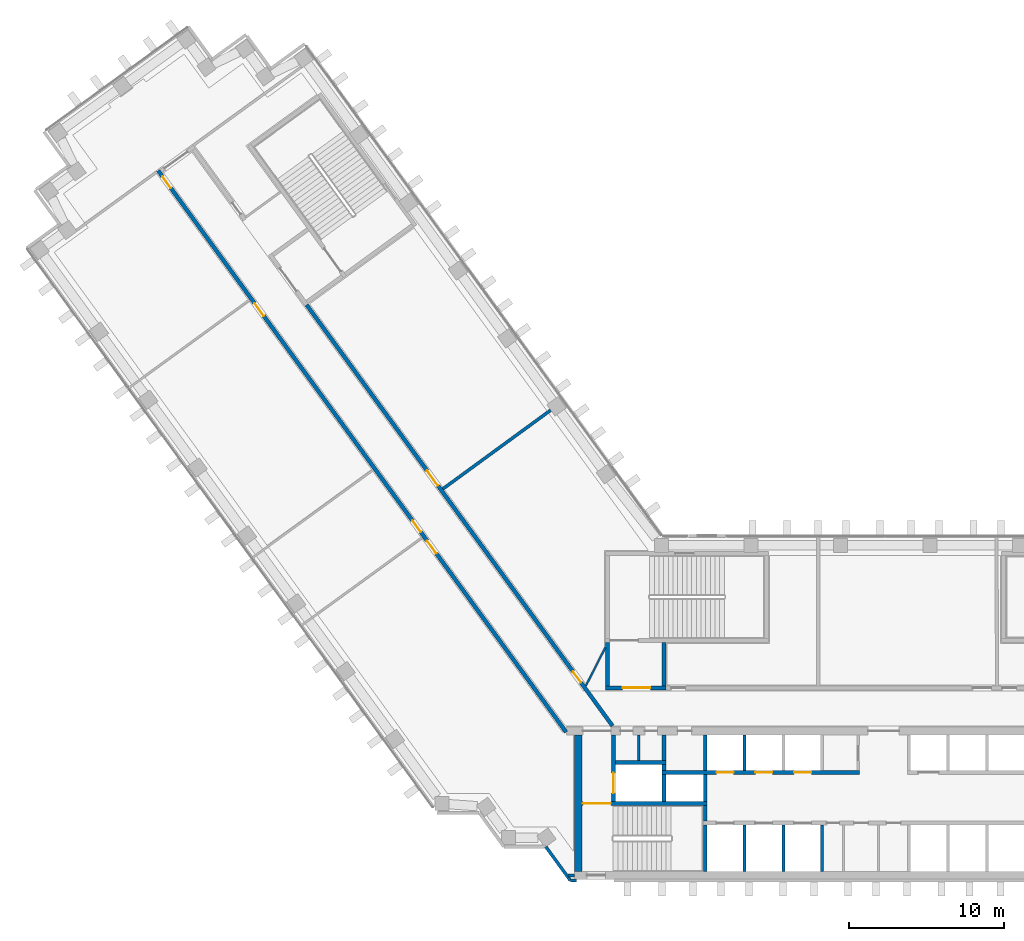
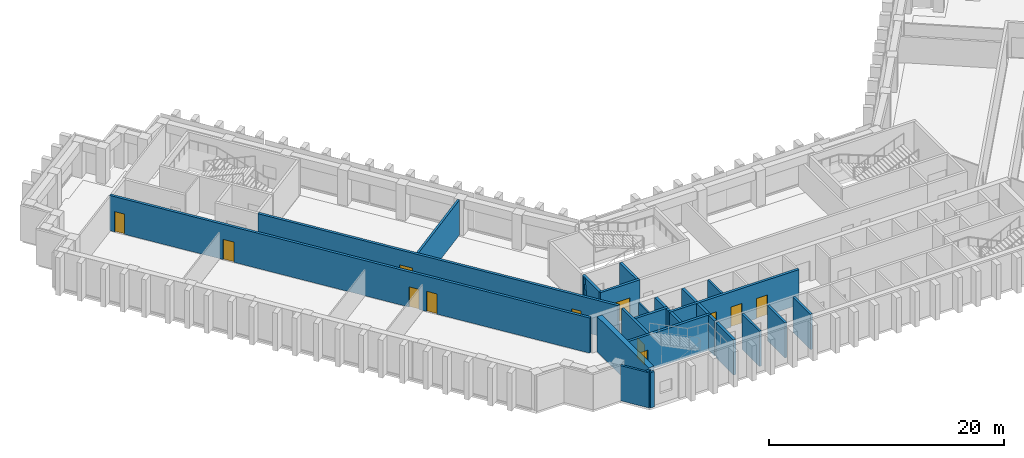
# One storey, part 6 of 14: 27 walls, 12 doors, 12 openings.
"""IFC4 building model written with IfcOpenShell, lengths in metres."""

from ifc_helpers import new_model, si_unit, direction, frame, frame_2d, origin, place, context, subcontext, project, spatial, rectangle, extrude, material, layer, layer_set, type_object, element, fill, save


model = new_model("IFC4")

# Units and contexts
model_context = context("Model", 3, precision=1e-05, world=origin(), true_north=direction((0.0, 1.0)))
body_context = subcontext(model_context, "Body", "Model", "MODEL_VIEW")
ifc_project = project(units=[si_unit("LENGTHUNIT", "METRE"), si_unit("AREAUNIT", "SQUARE_METRE"), si_unit("VOLUMEUNIT", "CUBIC_METRE"), si_unit("PLANEANGLEUNIT", "RADIAN"), si_unit("MASSUNIT", "GRAM", prefix="KILO")], contexts=[model_context])

# Site, building, storey
site_placement = place(None, origin())
site = spatial("IfcSite", under=ifc_project, at=site_placement, CompositionType="ELEMENT")
building_placement = place(site_placement, origin())
building = spatial("IfcBuilding", under=site, at=building_placement, Name="Quipu Civic Tower", CompositionType="ELEMENT")
storey_placement = place(building_placement, frame((0.0, 0.0, 105.0)))
storey = spatial("IfcBuildingStorey", under=building, at=storey_placement, Name="L24", CompositionType="ELEMENT", Elevation=105.0)

# Walls
ifc_material_1 = material(Name="Fired clay blockwork", Category="masonry")
ifc_layer_1 = layer(ifc_material_1, 0.199951171875)
ifc_layer_set_1 = layer_set([ifc_layer_1], Name="Fired clay blockwork")
wall_type_1 = type_object("IfcWallType", Name="Blockwork wall 200", PredefinedType="SOLIDWALL", material=ifc_layer_set_1)
wall_1_placement = place(storey_placement, frame((-28.468994140625, 14.1240234375, 0.0), z_axis=(0.0, 0.0, 1.0), x_axis=(0.807597163234, 0.589734535139, 0.0)))
element("IfcWall", 1, at=wall_1_placement, inside=storey, type_object=wall_type_1, Name="Partition P06", PredefinedType="SOLIDWALL", context=body_context, shape_type="SweptSolid", body=[
    extrude(rectangle(XDim=8.59521484375, YDim=0.199951171875, at=frame_2d((4.297607421875, 0.0))), origin(), (0.0, 0.0, 1.0), 3.64990234375),
])
ifc_material_2 = material(Name="Concrete C70/85", Category="concrete")
ifc_layer_2 = layer(ifc_material_2, 0.25)
ifc_layer_set_2 = layer_set([ifc_layer_2], Name="Concrete C70/85")
wall_type_2 = type_object("IfcWallType", Name="Core wall 250", PredefinedType="SHEAR", material=ifc_layer_set_2)
wall_2_placement = place(storey_placement, frame((-11.574951171875, -10.5, 0.0), z_axis=(0.0, 0.0, 1.0), x_axis=(0.0, 1.0, 0.0)))
element("IfcWall", 2, at=wall_2_placement, inside=storey, type_object=wall_type_2, Name="Core wall", PredefinedType="SHEAR", context=body_context, shape_type="SweptSolid", body=[
    extrude(rectangle(XDim=3.0, YDim=0.25, at=frame_2d((1.5, 0.0))), origin(), (0.0, 0.0, 1.0), 3.64990234375),
])
wall_3_placement = place(storey_placement, frame((-11.574951171875, -7.25, 0.0), z_axis=(0.0, 0.0, 1.0), x_axis=(0.0, 1.0, 0.0)))
element("IfcWall", 3, at=wall_3_placement, inside=storey, type_object=wall_type_2, Name="Core wall", PredefinedType="SHEAR", context=body_context, shape_type="SweptSolid", body=[
    extrude(rectangle(XDim=1.0, YDim=0.25, at=frame_2d((0.5, 0.0))), origin(), (0.0, 0.0, 1.0), 3.64990234375),
])

# Wall, opening, door
wall_4_placement = place(storey_placement, frame((-11.449951171875, -6.125, 0.0), z_axis=(0.0, 0.0, 1.0), x_axis=(-1.0, 0.0, 0.0)))
wall_4 = element("IfcWall", 4, at=wall_4_placement, inside=storey, type_object=wall_type_2, Name="Core wall", PredefinedType="SHEAR", context=body_context, shape_type="SweptSolid", body=[
    extrude(rectangle(XDim=8.050048828125, YDim=0.25, at=frame_2d((4.02490234375, 0.0))), origin(), (0.0, 0.0, 1.0), 3.64990234375),
])
opening_1_placement = place(wall_4_placement, frame((6.199951171875, 0.0, 0.0)))
opening_1 = element("IfcOpeningElement", 5, at=opening_1_placement, cuts=wall_4, Name="Opening CD-04", PredefinedType="OPENING", context=body_context, shape_type="SweptSolid", body=[
    extrude(rectangle(XDim=1.800048828125, YDim=2.10009765625, at=frame_2d((0.89990234375, 1.050048828125))), frame((0.0, 0.135009765625, 0.0), z_axis=(0.0, -1.0, 0.0), x_axis=(1.0, 0.0, 0.0)), (0.0, 0.0, 1.0), 0.27001953125),
])
ifc_material_3 = material(Name="Fire rated steel door", Category="steel")
door_type_1 = type_object("IfcDoorType", Name="Fire door FD90 double 1800 x 2100", OperationType="NOTDEFINED", PredefinedType="DOOR", material=ifc_material_3)
door_1_placement = place(opening_1_placement, origin())
door_1 = element("IfcDoor", 6, at=door_1_placement, inside=storey, type_object=door_type_1, Name="Door", OperationType="DOUBLE_DOOR_SINGLE_SWING", OverallHeight=2.10009765625, OverallWidth=1.800048828125, PredefinedType="DOOR", context=body_context, shape_type="SweptSolid", body=[
    extrude(rectangle(XDim=1.800048828125, YDim=2.10009765625, at=frame_2d((0.89990234375, 1.050048828125))), frame((0.0, 0.02490234375, 0.0), z_axis=(0.0, -1.0, 0.0), x_axis=(1.0, 0.0, 0.0)), (0.0, 0.0, 1.0), 0.050048828125),
])
fill(opening_1, door_1)

wall_5_placement = place(storey_placement, frame((-17.47509765625, -6.0, 0.0), z_axis=(0.0, 0.0, 1.0), x_axis=(0.0, 1.0, 0.0)))
wall_5 = element("IfcWall", 7, at=wall_5_placement, inside=storey, type_object=wall_type_2, Name="Core wall", PredefinedType="SHEAR", context=body_context, shape_type="SweptSolid", body=[
    extrude(rectangle(XDim=4.300048828125, YDim=0.25, at=frame_2d((2.14990234375, 0.0))), origin(), (0.0, 0.0, 1.0), 3.64990234375),
])
opening_2_placement = place(wall_5_placement, frame((0.550048828125, 0.0, 0.0)))
opening_2 = element("IfcOpeningElement", 8, at=opening_2_placement, cuts=wall_5, Name="Opening LD-FF1", PredefinedType="OPENING", context=body_context, shape_type="SweptSolid", body=[
    extrude(rectangle(XDim=1.300048828125, YDim=2.10009765625, at=frame_2d((0.64990234375, 1.050048828125))), frame((0.0, 0.135009765625, 0.0), z_axis=(0.0, -1.0, 0.0), x_axis=(1.0, 0.0, 0.0)), (0.0, 0.0, 1.0), 0.27001953125),
])
ifc_material_4 = material(Name="Stainless steel", Category="steel")
door_type_2 = type_object("IfcDoorType", Name="Lift landing door 1300 x 2100", OperationType="DOUBLE_DOOR_SLIDING", PredefinedType="DOOR", material=ifc_material_4)
door_2_placement = place(opening_2_placement, origin())
door_2 = element("IfcDoor", 9, at=door_2_placement, inside=storey, type_object=door_type_2, Name="Landing door FF1", OperationType="DOUBLE_DOOR_SLIDING", OverallHeight=2.10009765625, OverallWidth=1.300048828125, PredefinedType="DOOR", context=body_context, shape_type="SweptSolid", body=[
    extrude(rectangle(XDim=1.300048828125, YDim=2.10009765625, at=frame_2d((0.64990234375, 1.050048828125))), frame((0.0, 0.02490234375, 0.0), z_axis=(0.0, -1.0, 0.0), x_axis=(1.0, 0.0, 0.0)), (0.0, 0.0, 1.0), 0.050048828125),
])
fill(opening_2, door_2)

# Walls
for number, where, z_axis, x_axis, name in (
    (10, (-14.22509765625, -6.0, 0.0), (0.0, 0.0, 1.0), (0.0, 1.0, 0.0), "Core wall"),
    (11, (-11.574951171875, -6.0, 0.0), (0.0, 0.0, 1.0), (0.0, 1.0, 0.0), "Core wall"),
):
    element("IfcWall", number, at=place(storey_placement, frame(where, z_axis=z_axis, x_axis=x_axis)), inside=storey, type_object=wall_type_2, Name=name, PredefinedType="SHEAR", context=body_context, shape_type="SweptSolid", body=[
        extrude(rectangle(XDim=1.75, YDim=0.25, at=frame_2d((0.875, 0.0))), origin(), (0.0, 0.0, 1.0), 3.64990234375),
    ])

# Wall, openings, doors
wall_6_placement = place(storey_placement, frame((-14.35009765625, -4.125, 0.0), z_axis=(0.0, 0.0, 1.0), x_axis=(1.0, 0.0, 0.0)))
wall_6 = element("IfcWall", 12, at=wall_6_placement, inside=storey, type_object=wall_type_2, Name="Core wall", PredefinedType="SHEAR", context=body_context, shape_type="SweptSolid", body=[
    extrude(rectangle(XDim=12.7001953125, YDim=0.25, at=frame_2d((6.35009765625, 0.0))), origin(), (0.0, 0.0, 1.0), 3.64990234375),
])
opening_3_placement = place(wall_6_placement, frame((3.5, 0.0, 0.0)))
opening_3 = element("IfcOpeningElement", 13, at=opening_3_placement, cuts=wall_6, Name="Opening LD-LL4", PredefinedType="OPENING", context=body_context, shape_type="SweptSolid", body=[
    extrude(rectangle(XDim=1.10009765625, YDim=2.10009765625, at=frame_2d((0.550048828125, 1.050048828125))), frame((0.0, 0.135009765625, 0.0), z_axis=(0.0, -1.0, 0.0), x_axis=(1.0, 0.0, 0.0)), (0.0, 0.0, 1.0), 0.27001953125),
])
opening_4_placement = place(wall_6_placement, frame((6.0, 0.0, 0.0)))
opening_4 = element("IfcOpeningElement", 14, at=opening_4_placement, cuts=wall_6, Name="Opening LD-LL5", PredefinedType="OPENING", context=body_context, shape_type="SweptSolid", body=[
    extrude(rectangle(XDim=1.10009765625, YDim=2.10009765625, at=frame_2d((0.550048828125, 1.050048828125))), frame((0.0, 0.135009765625, 0.0), z_axis=(0.0, -1.0, 0.0), x_axis=(1.0, 0.0, 0.0)), (0.0, 0.0, 1.0), 0.27001953125),
])
opening_5_placement = place(wall_6_placement, frame((8.5, 0.0, 0.0)))
opening_5 = element("IfcOpeningElement", 15, at=opening_5_placement, cuts=wall_6, Name="Opening LD-LL6", PredefinedType="OPENING", context=body_context, shape_type="SweptSolid", body=[
    extrude(rectangle(XDim=1.10009765625, YDim=2.10009765625, at=frame_2d((0.550048828125, 1.050048828125))), frame((0.0, 0.135009765625, 0.0), z_axis=(0.0, -1.0, 0.0), x_axis=(1.0, 0.0, 0.0)), (0.0, 0.0, 1.0), 0.27001953125),
])
ifc_material_5 = material(Name="Stainless steel", Category="steel")
door_type_3 = type_object("IfcDoorType", Name="Lift landing door 1100 x 2100", OperationType="DOUBLE_DOOR_SLIDING", PredefinedType="DOOR", material=ifc_material_5)
door_3_placement = place(opening_3_placement, origin())
door_3 = element("IfcDoor", 16, at=door_3_placement, inside=storey, type_object=door_type_3, Name="Landing door LL4", OperationType="DOUBLE_DOOR_SLIDING", OverallHeight=2.10009765625, OverallWidth=1.10009765625, PredefinedType="DOOR", context=body_context, shape_type="SweptSolid", body=[
    extrude(rectangle(XDim=1.10009765625, YDim=2.10009765625, at=frame_2d((0.550048828125, 1.050048828125))), frame((0.0, 0.02490234375, 0.0), z_axis=(0.0, -1.0, 0.0), x_axis=(1.0, 0.0, 0.0)), (0.0, 0.0, 1.0), 0.050048828125),
])
fill(opening_3, door_3)
door_4_placement = place(opening_4_placement, origin())
door_4 = element("IfcDoor", 17, at=door_4_placement, inside=storey, type_object=door_type_3, Name="Landing door LL5", OperationType="DOUBLE_DOOR_SLIDING", OverallHeight=2.10009765625, OverallWidth=1.10009765625, PredefinedType="DOOR", context=body_context, shape_type="SweptSolid", body=[
    extrude(rectangle(XDim=1.10009765625, YDim=2.10009765625, at=frame_2d((0.550048828125, 1.050048828125))), frame((0.0, 0.02490234375, 0.0), z_axis=(0.0, -1.0, 0.0), x_axis=(1.0, 0.0, 0.0)), (0.0, 0.0, 1.0), 0.050048828125),
])
fill(opening_4, door_4)
door_5_placement = place(opening_5_placement, origin())
door_5 = element("IfcDoor", 18, at=door_5_placement, inside=storey, type_object=door_type_3, Name="Landing door LL6", OperationType="DOUBLE_DOOR_SLIDING", OverallHeight=2.10009765625, OverallWidth=1.10009765625, PredefinedType="DOOR", context=body_context, shape_type="SweptSolid", body=[
    extrude(rectangle(XDim=1.10009765625, YDim=2.10009765625, at=frame_2d((0.550048828125, 1.050048828125))), frame((0.0, 0.02490234375, 0.0), z_axis=(0.0, -1.0, 0.0), x_axis=(1.0, 0.0, 0.0)), (0.0, 0.0, 1.0), 0.050048828125),
])
fill(opening_5, door_5)

# Walls
wall_7_placement = place(storey_placement, frame((-14.22509765625, -4.0, 0.0), z_axis=(0.0, 0.0, 1.0), x_axis=(0.0, 1.0, 0.0)))
element("IfcWall", 19, at=wall_7_placement, inside=storey, type_object=wall_type_2, Name="Core wall", PredefinedType="SHEAR", context=body_context, shape_type="SweptSolid", body=[
    extrude(rectangle(XDim=0.39990234375, YDim=0.25, at=frame_2d((0.199951171875, 0.0))), origin(), (0.0, 0.0, 1.0), 3.64990234375),
])
wall_8_placement = place(storey_placement, frame((-11.574951171875, -4.0, 0.0), z_axis=(0.0, 0.0, 1.0), x_axis=(0.0, 1.0, 0.0)))
element("IfcWall", 20, at=wall_8_placement, inside=storey, type_object=wall_type_2, Name="Core wall", PredefinedType="SHEAR", context=body_context, shape_type="SweptSolid", body=[
    extrude(rectangle(XDim=2.300048828125, YDim=0.25, at=frame_2d((1.14990234375, 0.0))), origin(), (0.0, 0.0, 1.0), 3.64990234375),
])
wall_9_placement = place(storey_placement, frame((-17.35009765625, -3.47509765625, 0.0), z_axis=(0.0, 0.0, 1.0), x_axis=(1.0, 0.0, 0.0)))
element("IfcWall", 21, at=wall_9_placement, inside=storey, type_object=wall_type_2, Name="Core wall", PredefinedType="SHEAR", context=body_context, shape_type="SweptSolid", body=[
    extrude(rectangle(XDim=3.25, YDim=0.25, at=frame_2d((1.625, 0.0))), origin(), (0.0, 0.0, 1.0), 3.64990234375),
])
wall_10_placement = place(storey_placement, frame((-14.22509765625, -3.35009765625, 0.0), z_axis=(0.0, 0.0, 1.0), x_axis=(0.0, 1.0, 0.0)))
element("IfcWall", 22, at=wall_10_placement, inside=storey, type_object=wall_type_2, Name="Core wall", PredefinedType="SHEAR", context=body_context, shape_type="SweptSolid", body=[
    extrude(rectangle(XDim=1.650146484375, YDim=0.25, at=frame_2d((0.8251953125, 0.0))), origin(), (0.0, 0.0, 1.0), 3.64990234375),
])

# Wall, opening, door
wall_11_placement = place(storey_placement, frame((-18.0, 1.324951171875, 0.0), z_axis=(0.0, 0.0, 1.0), x_axis=(1.0, 0.0, 0.0)))
wall_11 = element("IfcWall", 23, at=wall_11_placement, inside=storey, type_object=wall_type_2, Name="Core wall", PredefinedType="SHEAR", context=body_context, shape_type="SweptSolid", body=[
    extrude(rectangle(XDim=3.89990234375, YDim=0.25, at=frame_2d((1.949951171875, 0.0))), origin(), (0.0, 0.0, 1.0), 3.64990234375),
])
opening_6_placement = place(wall_11_placement, frame((1.10009765625, 0.0, 0.0)))
opening_6 = element("IfcOpeningElement", 24, at=opening_6_placement, cuts=wall_11, Name="Opening CD-15", PredefinedType="OPENING", context=body_context, shape_type="SweptSolid", body=[
    extrude(rectangle(XDim=1.800048828125, YDim=2.10009765625, at=frame_2d((0.89990234375, 1.050048828125))), frame((0.0, 0.135009765625, 0.0), z_axis=(0.0, -1.0, 0.0), x_axis=(1.0, 0.0, 0.0)), (0.0, 0.0, 1.0), 0.27001953125),
])
door_6_placement = place(opening_6_placement, origin())
door_6 = element("IfcDoor", 25, at=door_6_placement, inside=storey, type_object=door_type_1, Name="Lobby door", OperationType="DOUBLE_DOOR_SINGLE_SWING", OverallHeight=2.10009765625, OverallWidth=1.800048828125, PredefinedType="DOOR", context=body_context, shape_type="SweptSolid", body=[
    extrude(rectangle(XDim=1.800048828125, YDim=2.10009765625, at=frame_2d((0.89990234375, 1.050048828125))), frame((0.0, 0.02490234375, 0.0), z_axis=(0.0, -1.0, 0.0), x_axis=(1.0, 0.0, 0.0)), (0.0, 0.0, 1.0), 0.050048828125),
])
fill(opening_6, door_6)

# Walls
for number, where, z_axis, x_axis, name in (
    (26, (-17.875, 1.449951171875, 0.0), (0.0, 0.0, 1.0), (0.0, 1.0, 0.0), "Core wall"),
    (27, (-14.22509765625, 1.449951171875, 0.0), (0.0, 0.0, 1.0), (0.0, 1.0, 0.0), "Core wall"),
):
    element("IfcWall", number, at=place(storey_placement, frame(where, z_axis=z_axis, x_axis=x_axis)), inside=storey, type_object=wall_type_2, Name=name, PredefinedType="SHEAR", context=body_context, shape_type="SweptSolid", body=[
        extrude(rectangle(XDim=2.800048828125, YDim=0.25, at=frame_2d((1.39990234375, 0.0))), origin(), (0.0, 0.0, 1.0), 3.64990234375),
    ])
ifc_material_6 = material(Name="Concrete C70/85", Category="concrete")
ifc_layer_3 = layer(ifc_material_6, 0.5)
ifc_layer_set_3 = layer_set([ifc_layer_3], Name="Concrete C70/85")
wall_type_3 = type_object("IfcWallType", Name="Core wall 500", PredefinedType="SHEAR", material=ifc_layer_set_3)
wall_12_placement = place(storey_placement, frame((-19.75, -10.5, 0.0), z_axis=(0.0, 0.0, 1.0), x_axis=(0.0, 1.0, 0.0)))
element("IfcWall", 28, at=wall_12_placement, inside=storey, type_object=wall_type_3, Name="Core wall", PredefinedType="SHEAR", context=body_context, shape_type="SweptSolid", body=[
    extrude(rectangle(XDim=8.800048828125, YDim=0.5, at=frame_2d((4.39990234375, 0.0))), origin(), (0.0, 0.0, 1.0), 3.64990234375),
])

# Wall, openings, doors
ifc_material_7 = material(Name="Concrete C50/60", Category="concrete")
ifc_layer_4 = layer(ifc_material_7, 0.25)
ifc_layer_set_4 = layer_set([ifc_layer_4], Name="Concrete C50/60")
wall_type_4 = type_object("IfcWallType", Name="Corridor wall 250 concrete", PredefinedType="SOLIDWALL", material=ifc_layer_set_4)
wall_13_placement = place(storey_placement, frame((-20.531005859375, -1.5234375, 0.0), z_axis=(0.0, 0.0, 1.0), x_axis=(-0.587784593204, 0.809017473231, 0.0)))
wall_13 = element("IfcWall", 29, at=wall_13_placement, inside=storey, type_object=wall_type_4, Name="Corridor wall C01", PredefinedType="SOLIDWALL", context=body_context, shape_type="SweptSolid", body=[
    extrude(rectangle(XDim=44.67041015625, YDim=0.25, at=frame_2d((22.335205078125, 0.0))), origin(), (0.0, 0.0, 1.0), 3.64990234375),
])
opening_7_placement = place(wall_13_placement, frame((43.295654296875, 0.0, 0.0)))
opening_7 = element("IfcOpeningElement", 30, at=opening_7_placement, cuts=wall_13, Name="Opening D012", PredefinedType="OPENING", context=body_context, shape_type="SweptSolid", body=[
    extrude(rectangle(XDim=0.89990234375, YDim=2.10009765625, at=frame_2d((0.449951171875, 1.050048828125))), frame((0.0, 0.135009765625, 0.0), z_axis=(0.0, -1.0, 0.0), x_axis=(1.0, 0.0, 0.0)), (0.0, 0.0, 1.0), 0.27001953125),
])
opening_8_placement = place(wall_13_placement, frame((15.915771484375, 0.0, 0.0)))
opening_8 = element("IfcOpeningElement", 31, at=opening_8_placement, cuts=wall_13, Name="Opening D014", PredefinedType="OPENING", context=body_context, shape_type="SweptSolid", body=[
    extrude(rectangle(XDim=0.89990234375, YDim=2.10009765625, at=frame_2d((0.449951171875, 1.050048828125))), frame((0.0, 0.135009765625, 0.0), z_axis=(0.0, -1.0, 0.0), x_axis=(1.0, 0.0, 0.0)), (0.0, 0.0, 1.0), 0.27001953125),
])
opening_9_placement = place(wall_13_placement, frame((33.115966796875, 0.0, 0.0)))
opening_9 = element("IfcOpeningElement", 32, at=opening_9_placement, cuts=wall_13, Name="Opening D013", PredefinedType="OPENING", context=body_context, shape_type="SweptSolid", body=[
    extrude(rectangle(XDim=1.0, YDim=2.10009765625, at=frame_2d((0.5, 1.050048828125))), frame((0.0, 0.135009765625, 0.0), z_axis=(0.0, -1.0, 0.0), x_axis=(1.0, 0.0, 0.0)), (0.0, 0.0, 1.0), 0.27001953125),
])
opening_10_placement = place(wall_13_placement, frame((14.215576171875, 0.0, 0.0)))
opening_10 = element("IfcOpeningElement", 33, at=opening_10_placement, cuts=wall_13, Name="Opening D015", PredefinedType="OPENING", context=body_context, shape_type="SweptSolid", body=[
    extrude(rectangle(XDim=1.0, YDim=2.10009765625, at=frame_2d((0.5, 1.050048828125))), frame((0.0, 0.135009765625, 0.0), z_axis=(0.0, -1.0, 0.0), x_axis=(1.0, 0.0, 0.0)), (0.0, 0.0, 1.0), 0.27001953125),
])
ifc_material_8 = material(Name="Fire rated timber door set with metal frame", Category="wood")
door_type_4 = type_object("IfcDoorType", Name="Single door 1000 x 2100 FD60", OperationType="NOTDEFINED", PredefinedType="DOOR", material=ifc_material_8)
door_7_placement = place(opening_9_placement, origin())
door_7 = element("IfcDoor", 34, at=door_7_placement, inside=storey, type_object=door_type_4, Name="Door D013", OperationType="SINGLE_SWING_RIGHT", OverallHeight=2.10009765625, OverallWidth=1.0, PredefinedType="DOOR", context=body_context, shape_type="SweptSolid", body=[
    extrude(rectangle(XDim=1.0, YDim=2.10009765625, at=frame_2d((0.5, 1.050048828125))), frame((0.0, 0.02490234375, 0.0), z_axis=(0.0, -1.0, 0.0), x_axis=(1.0, 0.0, 0.0)), (0.0, 0.0, 1.0), 0.050048828125),
])
fill(opening_9, door_7)
door_8_placement = place(opening_10_placement, origin())
door_8 = element("IfcDoor", 35, at=door_8_placement, inside=storey, type_object=door_type_4, Name="Door D015", OperationType="SINGLE_SWING_RIGHT", OverallHeight=2.10009765625, OverallWidth=1.0, PredefinedType="DOOR", context=body_context, shape_type="SweptSolid", body=[
    extrude(rectangle(XDim=1.0, YDim=2.10009765625, at=frame_2d((0.5, 1.050048828125))), frame((0.0, 0.02490234375, 0.0), z_axis=(0.0, -1.0, 0.0), x_axis=(1.0, 0.0, 0.0)), (0.0, 0.0, 1.0), 0.050048828125),
])
fill(opening_10, door_8)
ifc_material_9 = material(Name="Fire rated timber door set with metal frame", Category="wood")
door_type_5 = type_object("IfcDoorType", Name="Single door 900 x 2100 FD60", OperationType="NOTDEFINED", PredefinedType="DOOR", material=ifc_material_9)
door_9_placement = place(opening_7_placement, origin())
door_9 = element("IfcDoor", 36, at=door_9_placement, inside=storey, type_object=door_type_5, Name="Door D012", OperationType="SINGLE_SWING_RIGHT", OverallHeight=2.10009765625, OverallWidth=0.89990234375, PredefinedType="DOOR", context=body_context, shape_type="SweptSolid", body=[
    extrude(rectangle(XDim=0.89990234375, YDim=2.10009765625, at=frame_2d((0.449951171875, 1.050048828125))), frame((0.0, 0.02490234375, 0.0), z_axis=(0.0, -1.0, 0.0), x_axis=(1.0, 0.0, 0.0)), (0.0, 0.0, 1.0), 0.050048828125),
])
fill(opening_7, door_9)
door_10_placement = place(opening_8_placement, origin())
door_10 = element("IfcDoor", 37, at=door_10_placement, inside=storey, type_object=door_type_5, Name="Door D014", OperationType="SINGLE_SWING_LEFT", OverallHeight=2.10009765625, OverallWidth=0.89990234375, PredefinedType="DOOR", context=body_context, shape_type="SweptSolid", body=[
    extrude(rectangle(XDim=0.89990234375, YDim=2.10009765625, at=frame_2d((0.449951171875, 1.050048828125))), frame((0.0, 0.02490234375, 0.0), z_axis=(0.0, -1.0, 0.0), x_axis=(1.0, 0.0, 0.0)), (0.0, 0.0, 1.0), 0.050048828125),
])
fill(opening_8, door_10)

wall_14_placement = place(storey_placement, frame((-37.231689453125, 25.9716796875, 0.0), z_axis=(0.0, 0.0, 1.0), x_axis=(0.587786323093, -0.809016216391, 0.0)))
wall_14 = element("IfcWall", 38, at=wall_14_placement, inside=storey, type_object=wall_type_4, Name="Corridor wall C04", PredefinedType="SOLIDWALL", context=body_context, shape_type="SweptSolid", body=[
    extrude(rectangle(XDim=33.4931640625, YDim=0.25, at=frame_2d((16.74658203125, 0.0))), origin(), (0.0, 0.0, 1.0), 3.64990234375),
])
opening_11_placement = place(wall_14_placement, frame((13.184814453125, 0.0, 0.0)))
opening_11 = element("IfcOpeningElement", 39, at=opening_11_placement, cuts=wall_14, Name="Opening D010", PredefinedType="OPENING", context=body_context, shape_type="SweptSolid", body=[
    extrude(rectangle(XDim=1.199951171875, YDim=2.10009765625, at=frame_2d((0.60009765625, 1.050048828125))), frame((0.0, 0.135009765625, 0.0), z_axis=(0.0, -1.0, 0.0), x_axis=(1.0, 0.0, 0.0)), (0.0, 0.0, 1.0), 0.27001953125),
])
opening_12_placement = place(wall_14_placement, frame((29.151611328125, 0.0, 0.0)))
opening_12 = element("IfcOpeningElement", 40, at=opening_12_placement, cuts=wall_14, Name="Opening D011", PredefinedType="OPENING", context=body_context, shape_type="SweptSolid", body=[
    extrude(rectangle(XDim=0.89990234375, YDim=2.10009765625, at=frame_2d((0.449951171875, 1.050048828125))), frame((0.0, 0.135009765625, 0.0), z_axis=(0.0, -1.0, 0.0), x_axis=(1.0, 0.0, 0.0)), (0.0, 0.0, 1.0), 0.27001953125),
])
ifc_material_10 = material(Name="Fire rated timber door set with metal frame", Category="wood")
door_type_6 = type_object("IfcDoorType", Name="Single door 1200 x 2100 FD60", OperationType="NOTDEFINED", PredefinedType="DOOR", material=ifc_material_10)
door_11_placement = place(opening_11_placement, origin())
door_11 = element("IfcDoor", 41, at=door_11_placement, inside=storey, type_object=door_type_6, Name="Door D010", OperationType="SINGLE_SWING_RIGHT", OverallHeight=2.10009765625, OverallWidth=1.199951171875, PredefinedType="DOOR", context=body_context, shape_type="SweptSolid", body=[
    extrude(rectangle(XDim=1.199951171875, YDim=2.10009765625, at=frame_2d((0.60009765625, 1.050048828125))), frame((0.0, 0.02490234375, 0.0), z_axis=(0.0, -1.0, 0.0), x_axis=(1.0, 0.0, 0.0)), (0.0, 0.0, 1.0), 0.050048828125),
])
fill(opening_11, door_11)
door_12_placement = place(opening_12_placement, origin())
door_12 = element("IfcDoor", 42, at=door_12_placement, inside=storey, type_object=door_type_5, Name="Door D011", OperationType="SINGLE_SWING_RIGHT", OverallHeight=2.10009765625, OverallWidth=0.89990234375, PredefinedType="DOOR", context=body_context, shape_type="SweptSolid", body=[
    extrude(rectangle(XDim=0.89990234375, YDim=2.10009765625, at=frame_2d((0.449951171875, 1.050048828125))), frame((0.0, 0.02490234375, 0.0), z_axis=(0.0, -1.0, 0.0), x_axis=(1.0, 0.0, 0.0)), (0.0, 0.0, 1.0), 0.050048828125),
])
fill(opening_12, door_12)

# Walls
ifc_material_11 = material(Name="Gypsum plasterboard on light gauge framing")
ifc_layer_5 = layer(ifc_material_11, 0.1201171875)
ifc_layer_set_5 = layer_set([ifc_layer_5], Name="Gypsum plasterboard on light gauge framing")
wall_type_5 = type_object("IfcWallType", Name="Partition 120 plasterboard", PredefinedType="PARTITIONING", material=ifc_layer_set_5)
wall_15_placement = place(storey_placement, frame((-19.260986328125, 1.449951171875, 0.0), z_axis=(0.0, 0.0, 1.0), x_axis=(0.453950796792, 0.891026752736, 0.0)))
element("IfcWall", 43, at=wall_15_placement, inside=storey, type_object=wall_type_5, Name="Partition P16", PredefinedType="PARTITIONING", context=body_context, shape_type="SweptSolid", body=[
    extrude(rectangle(XDim=2.77783203125, YDim=0.1201171875, at=frame_2d((1.388916015625, 0.0))), origin(), (0.0, 0.0, 1.0), 3.64990234375),
])
ifc_material_12 = material(Name="Gypsum board partition")
ifc_layer_6 = layer(ifc_material_12, 0.14990234375)
ifc_layer_set_6 = layer_set([ifc_layer_6], Name="Gypsum board partition")
wall_type_6 = type_object("IfcWallType", Name="Partition 150", PredefinedType="PARTITIONING", material=ifc_layer_set_6)
wall_16_placement = place(storey_placement, frame((-15.85009765625, -3.35009765625, 0.0), z_axis=(0.0, 0.0, 1.0), x_axis=(0.0, 1.0, 0.0)))
element("IfcWall", 44, at=wall_16_placement, inside=storey, type_object=wall_type_6, Name="Partition", PredefinedType="PARTITIONING", context=body_context, shape_type="SweptSolid", body=[
    extrude(rectangle(XDim=1.650146484375, YDim=0.14990234375, at=frame_2d((0.8251953125, 0.0))), origin(), (0.0, 0.0, 1.0), 3.64990234375),
])
ifc_material_13 = material(Name="Precast concrete C40/50", Category="concrete")
wall_type_7 = type_object("IfcWallType", Name="Precast cladding wall", PredefinedType="SOLIDWALL", material=ifc_material_13)
wall_17_placement = place(storey_placement, frame((-21.8330078125, -8.90869140625, 0.0), z_axis=(0.0, 0.0, 1.0), x_axis=(0.587766567315, -0.809030569476, 0.0)))
element("IfcWall", 45, at=wall_17_placement, inside=storey, type_object=wall_type_7, Name="Precast cladding wall L24 P15", PredefinedType="SOLIDWALL", context=body_context, shape_type="SweptSolid", body=[
    extrude(rectangle(XDim=2.687744140625, YDim=0.199951171875, at=frame_2d((1.34375, 0.0))), origin(), (0.0, 0.0, 1.0), 3.64990234375),
])
wall_18_placement = place(storey_placement, frame((-20.255859375, -11.087890625, 0.0), z_axis=(0.0, 0.0, 1.0), x_axis=(1.0, 0.0, 0.0)))
element("IfcWall", 46, at=wall_18_placement, inside=storey, type_object=wall_type_7, Name="Precast cladding wall L24 P16", PredefinedType="SOLIDWALL", context=body_context, shape_type="SweptSolid", body=[
    extrude(rectangle(XDim=0.40576171875, YDim=0.199951171875, at=frame_2d((0.202880859375, 0.0))), origin(), (0.0, 0.0, 1.0), 3.64990234375),
])
wall_19_placement = place(storey_placement, frame((-19.97998046875, -10.75, 0.0), z_axis=(0.0, 0.0, 1.0), x_axis=(-1.0, 0.0, 0.0)))
element("IfcWall", 47, at=wall_19_placement, inside=storey, type_object=wall_type_7, Name="Precast cladding return L24 W", PredefinedType="SOLIDWALL", context=body_context, shape_type="SweptSolid", body=[
    extrude(rectangle(XDim=0.41650390625, YDim=0.199951171875, at=frame_2d((0.208251953125, 0.0))), origin(), (0.0, 0.0, 1.0), 3.64990234375),
])
ifc_material_14 = material(Name="Concrete C40/50", Category="concrete")
ifc_layer_7 = layer(ifc_material_14, 0.199951171875)
ifc_layer_set_7 = layer_set([ifc_layer_7], Name="Concrete C40/50")
wall_type_8 = type_object("IfcWallType", Name="Shaft wall 200", PredefinedType="SOLIDWALL", material=ifc_layer_set_7)
for number, where, z_axis, x_axis, name in (
    (48, (-9.050048828125, -10.5, 0.0), (0.0, 0.0, 1.0), (0.0, 1.0, 0.0), "Shaft wall"),
    (49, (-6.550048828125, -10.5, 0.0), (0.0, 0.0, 1.0), (0.0, 1.0, 0.0), "Shaft wall"),
    (50, (-4.050048828125, -10.5, 0.0), (0.0, 0.0, 1.0), (0.0, 1.0, 0.0), "Shaft wall"),
):
    element("IfcWall", number, at=place(storey_placement, frame(where, z_axis=z_axis, x_axis=x_axis)), inside=storey, type_object=wall_type_8, Name=name, PredefinedType="SOLIDWALL", context=body_context, shape_type="SweptSolid", body=[
        extrude(rectangle(XDim=3.0, YDim=0.199951171875, at=frame_2d((1.5, 0.0))), origin(), (0.0, 0.0, 1.0), 3.64990234375),
    ])
wall_20_placement = place(storey_placement, frame((-9.050048828125, -4.0, 0.0), z_axis=(0.0, 0.0, 1.0), x_axis=(0.0, 1.0, 0.0)))
element("IfcWall", 51, at=wall_20_placement, inside=storey, type_object=wall_type_8, Name="Shaft wall", PredefinedType="SOLIDWALL", context=body_context, shape_type="SweptSolid", body=[
    extrude(rectangle(XDim=2.300048828125, YDim=0.199951171875, at=frame_2d((1.14990234375, 0.0))), origin(), (0.0, 0.0, 1.0), 3.64990234375),
])

save(model, "model.ifc")
